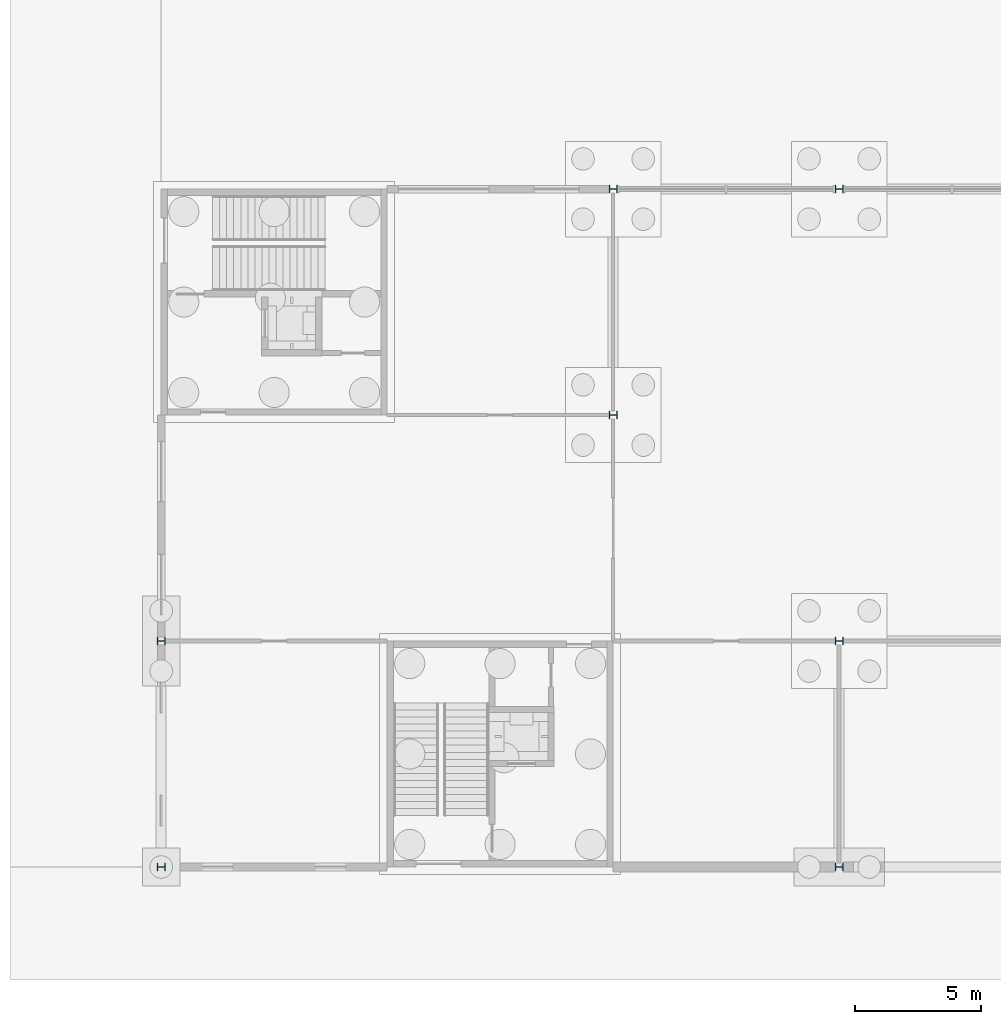
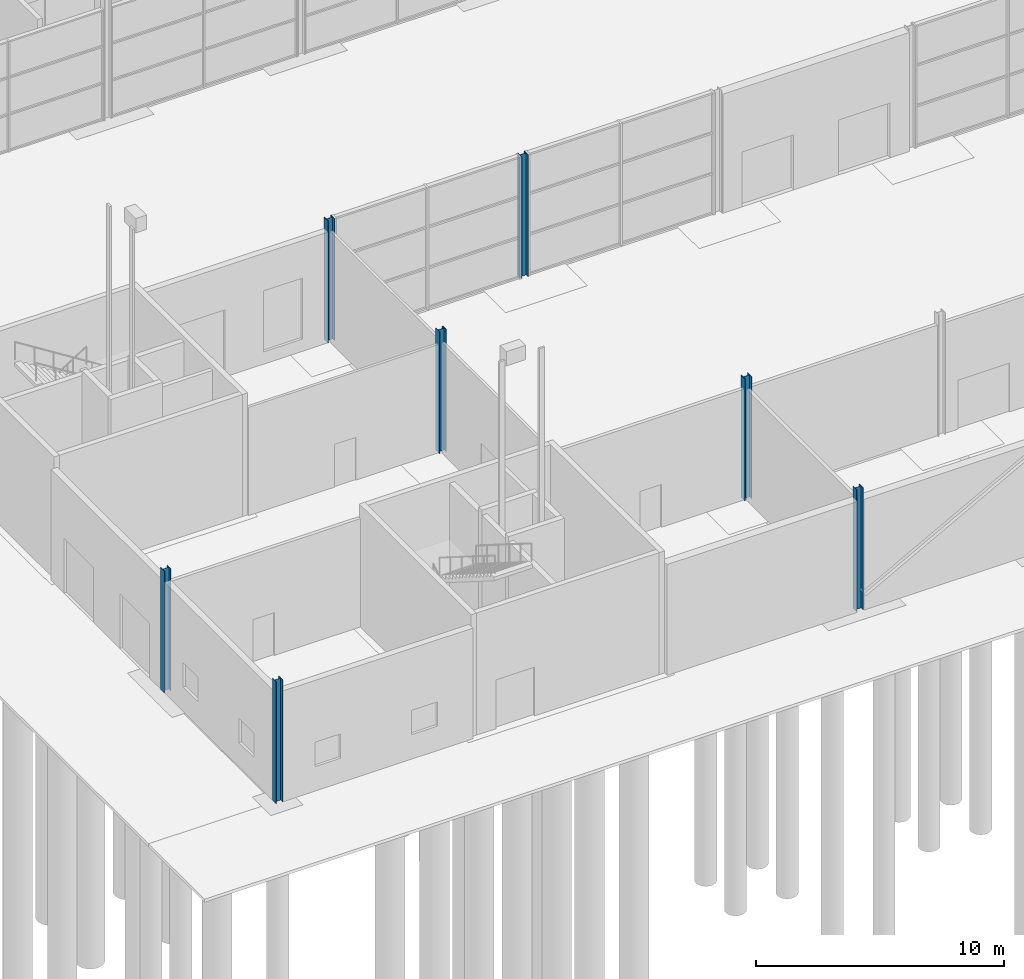
# One storey, part 7 of 97: 7 columns.
"""IFC4 building model written with IfcOpenShell, lengths in metres."""

from ifc_helpers import new_model, si_unit, direction, frame, origin, origin_2d, place, context, subcontext, project, spatial, i_section, extrude, material, material_profile, profile_set, type_object, element, save


model = new_model("IFC4")

# Units and contexts
model_context = context("Model", 3, precision=1e-05, world=origin(), true_north=direction((0.0, 1.0)))
body_context = subcontext(model_context, "Body", "Model", "MODEL_VIEW")
ifc_project = project(units=[si_unit("LENGTHUNIT", "METRE"), si_unit("AREAUNIT", "SQUARE_METRE"), si_unit("VOLUMEUNIT", "CUBIC_METRE"), si_unit("PLANEANGLEUNIT", "RADIAN"), si_unit("MASSUNIT", "GRAM", prefix="KILO")], contexts=[model_context])

# Site, building, storey
site_placement = place(None, origin())
site = spatial("IfcSite", under=ifc_project, at=site_placement, CompositionType="ELEMENT")
building_placement = place(site_placement, origin())
building = spatial("IfcBuilding", under=site, at=building_placement, Name="Corbel Yard City Hall", CompositionType="ELEMENT")
storey_placement = place(building_placement, origin())
storey = spatial("IfcBuildingStorey", under=building, at=storey_placement, Name="L00", CompositionType="ELEMENT", Elevation=0.0)

# Columns
ifc_material = material(Name="Steel Grade 300 (300 MPa yield)", Category="steel")
ifc_material_profile_1 = material_profile(ifc_material, i_section(OverallWidth=0.306884765625, OverallDepth=0.31494140625, WebThickness=0.011962890625, FlangeThickness=0.018798828125, at=origin_2d()), Name="310UC118")
ifc_profile_set_1 = profile_set([ifc_material_profile_1], Name="Steel Grade 300 (300 MPa yield)")
column_type_1 = type_object("IfcColumnType", Name="Column 310UC118", PredefinedType="COLUMN", material=ifc_profile_set_1)
for number, where, z_axis, x_axis, name in (
    (1, (0.0, 0.0, 0.0), (0.0, 0.0, 1.0), (0.0, 1.0, 0.0), "Column 310UC118 A/1 L00"),
    (2, (0.0, 9.0, 0.0), (0.0, 0.0, 1.0), (0.0, 1.0, 0.0), "Column 310UC118 B/1 L00"),
    (3, (27.0, 0.0, 0.0), (0.0, 0.0, 1.0), (0.0, 1.0, 0.0), "Column 310UC118 A/4 L00"),
):
    element("IfcColumn", number, at=place(storey_placement, frame(where, z_axis=z_axis, x_axis=x_axis)), inside=storey, type_object=column_type_1, Name=name, PredefinedType="COLUMN", context=body_context, shape_type="SweptSolid", body=[
        extrude(i_section(OverallWidth=0.306884765625, OverallDepth=0.31494140625, WebThickness=0.011962890625, FlangeThickness=0.018798828125, at=origin_2d()), origin(), (0.0, 0.0, 1.0), 6.0),
    ])
ifc_material_profile_2 = material_profile(ifc_material, i_section(OverallWidth=0.31103515625, OverallDepth=0.326904296875, WebThickness=0.015625, FlangeThickness=0.02490234375, at=origin_2d()), Name="310UC158")
ifc_profile_set_2 = profile_set([ifc_material_profile_2], Name="Steel Grade 300 (300 MPa yield)")
column_type_2 = type_object("IfcColumnType", Name="Column 310UC158", PredefinedType="COLUMN", material=ifc_profile_set_2)
for number, where, z_axis, x_axis, name in (
    (4, (18.0, 18.0, 0.0), (0.0, 0.0, 1.0), (0.0, 1.0, 0.0), "Column 310UC158 C/3 L00"),
    (5, (18.0, 27.0, 0.0), (0.0, 0.0, 1.0), (0.0, 1.0, 0.0), "Column 310UC158 D/3 L00"),
    (6, (27.0, 9.0, 0.0), (0.0, 0.0, 1.0), (0.0, 1.0, 0.0), "Column 310UC158 B/4 L00"),
    (7, (27.0, 27.0, 0.0), (0.0, 0.0, 1.0), (0.0, 1.0, 0.0), "Column 310UC158 D/4 L00"),
):
    element("IfcColumn", number, at=place(storey_placement, frame(where, z_axis=z_axis, x_axis=x_axis)), inside=storey, type_object=column_type_2, Name=name, PredefinedType="COLUMN", context=body_context, shape_type="SweptSolid", body=[
        extrude(i_section(OverallWidth=0.31103515625, OverallDepth=0.326904296875, WebThickness=0.015625, FlangeThickness=0.02490234375, at=origin_2d()), origin(), (0.0, 0.0, 1.0), 6.0),
    ])

save(model, "model.ifc")
